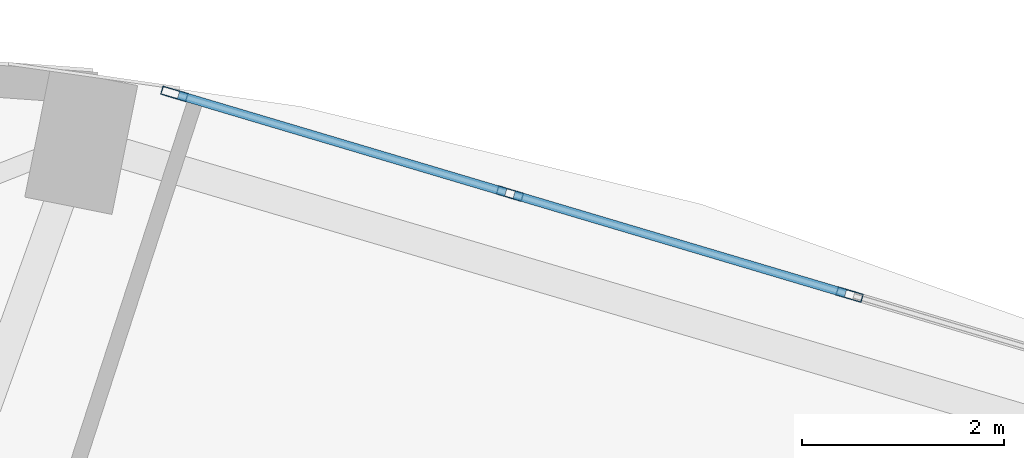
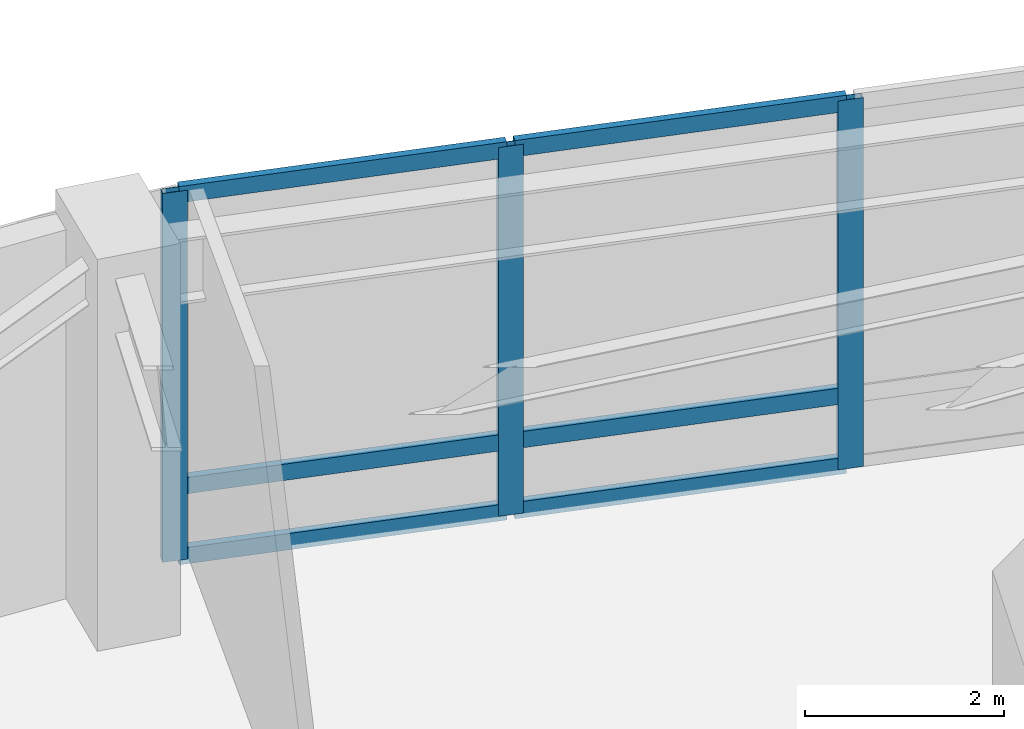
# One storey, part 18 of 24: 9 members, 1 element without a shape of its own.
"""IFC4 building model written with IfcOpenShell, lengths in metres."""

from ifc_helpers import new_model, si_unit, direction, frame, origin, origin_2d, place, context, subcontext, project, spatial, hollow_rectangle, extrude, material, layer, layer_set, material_profile, profile_set, type_object, element, aggregate, save


model = new_model("IFC4")

# Units and contexts
model_context = context("Model", 3, precision=1e-05, world=origin(), true_north=direction((0.0, 1.0)))
body_context = subcontext(model_context, "Body", "Model", "MODEL_VIEW")
ifc_project = project(units=[si_unit("LENGTHUNIT", "METRE"), si_unit("AREAUNIT", "SQUARE_METRE"), si_unit("VOLUMEUNIT", "CUBIC_METRE"), si_unit("PLANEANGLEUNIT", "RADIAN"), si_unit("MASSUNIT", "GRAM", prefix="KILO")], contexts=[model_context])

# Site, building, storey
site_placement = place(None, origin())
site = spatial("IfcSite", under=ifc_project, at=site_placement, CompositionType="ELEMENT")
building_placement = place(site_placement, origin())
building = spatial("IfcBuilding", under=site, at=building_placement, Name="Lazwardi Medical Tower", CompositionType="ELEMENT")
storey_placement = place(building_placement, frame((0.0, 0.0, 10.800048828125)))
storey = spatial("IfcBuildingStorey", under=building, at=storey_placement, Name="L02", CompositionType="ELEMENT", Elevation=10.800048828125)

# Curtain wall, members
ifc_material_1 = material(Name="Anodised bronze aluminium and solar control glazing", Category="aluminium")
ifc_layer = layer(ifc_material_1, 0.219970703125)
ifc_layer_set = layer_set([ifc_layer], Name="Anodised bronze aluminium and solar control glazing")
curtain_wall_type = type_object("IfcCurtainWallType", Name="CW-SYS-01", PredefinedType="NOTDEFINED", material=ifc_layer_set)
curtain_wall_placement = place(storey_placement, origin())
curtain_wall = element("IfcCurtainWall", 1, at=curtain_wall_placement, inside=storey, type_object=curtain_wall_type, Name="L02 Unitised bronze curtain wall CW-01", PredefinedType="NOTDEFINED")
ifc_material_2 = material(Name="Anodised bronze aluminium", Category="aluminium")
ifc_material_profile_1 = material_profile(ifc_material_2, hollow_rectangle(XDim=0.0849609375, YDim=0.260009765625, WallThickness=0.0048828125, at=origin_2d()), Name="ALU-MULLION 260x85x5")
ifc_profile_set_1 = profile_set([ifc_material_profile_1], Name="Anodised bronze aluminium")
member_type_1 = type_object("IfcMemberType", Name="CW-MUL-02", PredefinedType="MULLION", material=ifc_profile_set_1)
member_1_placement = place(storey_placement, frame((49.71240234375, 50.754150390625, 0.0), z_axis=(0.0, 0.0, 1.0), x_axis=(-0.285047195531, -0.958513482597, 0.0)))
member_1 = element("IfcMember", 2, at=member_1_placement, type_object=member_type_1, Name="CW-01 mullion 2", PredefinedType="MULLION", context=body_context, shape_type="SweptSolid", body=[
    extrude(hollow_rectangle(XDim=0.0849609375, YDim=0.260009765625, WallThickness=0.0048828125, at=origin_2d()), origin(), (0.0, 0.0, 1.0), 4.52001953125),
])
member_2_placement = place(storey_placement, frame((46.350341796875, 51.754150390625, 0.0), z_axis=(0.0, 0.0, 1.0), x_axis=(-0.285047195531, -0.958513482597, 0.0)))
member_2 = element("IfcMember", 3, at=member_2_placement, type_object=member_type_1, Name="CW-01 mullion 3", PredefinedType="MULLION", context=body_context, shape_type="SweptSolid", body=[
    extrude(hollow_rectangle(XDim=0.0849609375, YDim=0.260009765625, WallThickness=0.0048828125, at=origin_2d()), origin(), (0.0, 0.0, 1.0), 4.52001953125),
])
member_3_placement = place(storey_placement, frame((43.02880859375, 52.74169921875, 0.0), z_axis=(0.0, 0.0, 1.0), x_axis=(-0.285047195531, -0.958513482597, 0.0)))
member_3 = element("IfcMember", 4, at=member_3_placement, type_object=member_type_1, Name="CW-01 mullion 4", PredefinedType="MULLION", context=body_context, shape_type="SweptSolid", body=[
    extrude(hollow_rectangle(XDim=0.0849609375, YDim=0.260009765625, WallThickness=0.0048828125, at=origin_2d()), origin(), (0.0, 0.0, 1.0), 4.52001953125),
])
ifc_material_profile_2 = material_profile(ifc_material_2, hollow_rectangle(XDim=0.0849609375, YDim=0.199951171875, WallThickness=0.00439453125, at=origin_2d()), Name="ALU-TRANSOM 200x85x4.5")
ifc_profile_set_2 = profile_set([ifc_material_profile_2], Name="Anodised bronze aluminium")
member_type_2 = type_object("IfcMemberType", Name="CW-TRN-02", PredefinedType="USERDEFINED", material=ifc_profile_set_2)
member_4_placement = place(storey_placement, frame((49.671875, 50.766357421875, 0.04248046875), z_axis=(-0.958518450342, 0.285030490219, 0.0), x_axis=(-0.285030490219, -0.958518450342, 0.0)))
member_4 = element("IfcMember", 5, at=member_4_placement, type_object=member_type_2, Name="CW-01 transom 2.1", ObjectType="TRANSOM", PredefinedType="USERDEFINED", context=body_context, shape_type="SweptSolid", body=[
    extrude(hollow_rectangle(XDim=0.0849609375, YDim=0.199951171875, WallThickness=0.00439453125, at=origin_2d()), origin(), (0.0, 0.0, 1.0), 3.4228515625),
])
member_5_placement = place(storey_placement, frame((49.671875, 50.766357421875, 0.89990234375), z_axis=(-0.958518450342, 0.285030490219, 0.0), x_axis=(-0.285030490219, -0.958518450342, 0.0)))
member_5 = element("IfcMember", 6, at=member_5_placement, type_object=member_type_2, Name="CW-01 transom 2.2", ObjectType="TRANSOM", PredefinedType="USERDEFINED", context=body_context, shape_type="SweptSolid", body=[
    extrude(hollow_rectangle(XDim=0.0849609375, YDim=0.199951171875, WallThickness=0.00439453125, at=origin_2d()), origin(), (0.0, 0.0, 1.0), 3.4228515625),
])
member_6_placement = place(storey_placement, frame((49.671875, 50.766357421875, 4.4775390625), z_axis=(-0.958518450342, 0.285030490219, 0.0), x_axis=(-0.285030490219, -0.958518450342, 0.0)))
member_6 = element("IfcMember", 7, at=member_6_placement, type_object=member_type_2, Name="CW-01 transom 2.3", ObjectType="TRANSOM", PredefinedType="USERDEFINED", context=body_context, shape_type="SweptSolid", body=[
    extrude(hollow_rectangle(XDim=0.0849609375, YDim=0.199951171875, WallThickness=0.00439453125, at=origin_2d()), origin(), (0.0, 0.0, 1.0), 3.4228515625),
])
member_7_placement = place(storey_placement, frame((46.3095703125, 51.76611328125, 0.04248046875), z_axis=(-0.958505424522, 0.285074290603, 0.0), x_axis=(-0.285074290603, -0.958505424522, 0.0)))
member_7 = element("IfcMember", 8, at=member_7_placement, type_object=member_type_2, Name="CW-01 transom 3.1", ObjectType="TRANSOM", PredefinedType="USERDEFINED", context=body_context, shape_type="SweptSolid", body=[
    extrude(hollow_rectangle(XDim=0.0849609375, YDim=0.199951171875, WallThickness=0.00439453125, at=origin_2d()), origin(), (0.0, 0.0, 1.0), 3.38037109375),
])
member_8_placement = place(storey_placement, frame((46.3095703125, 51.76611328125, 0.89990234375), z_axis=(-0.958505424522, 0.285074290603, 0.0), x_axis=(-0.285074290603, -0.958505424522, 0.0)))
member_8 = element("IfcMember", 9, at=member_8_placement, type_object=member_type_2, Name="CW-01 transom 3.2", ObjectType="TRANSOM", PredefinedType="USERDEFINED", context=body_context, shape_type="SweptSolid", body=[
    extrude(hollow_rectangle(XDim=0.0849609375, YDim=0.199951171875, WallThickness=0.00439453125, at=origin_2d()), origin(), (0.0, 0.0, 1.0), 3.38037109375),
])
member_9_placement = place(storey_placement, frame((46.3095703125, 51.76611328125, 4.4775390625), z_axis=(-0.958505424522, 0.285074290603, 0.0), x_axis=(-0.285074290603, -0.958505424522, 0.0)))
member_9 = element("IfcMember", 10, at=member_9_placement, type_object=member_type_2, Name="CW-01 transom 3.3", ObjectType="TRANSOM", PredefinedType="USERDEFINED", context=body_context, shape_type="SweptSolid", body=[
    extrude(hollow_rectangle(XDim=0.0849609375, YDim=0.199951171875, WallThickness=0.00439453125, at=origin_2d()), origin(), (0.0, 0.0, 1.0), 3.38037109375),
])
aggregate(curtain_wall, [member_1, member_2, member_3, member_4, member_5, member_6, member_7, member_8, member_9])

save(model, "model.ifc")
